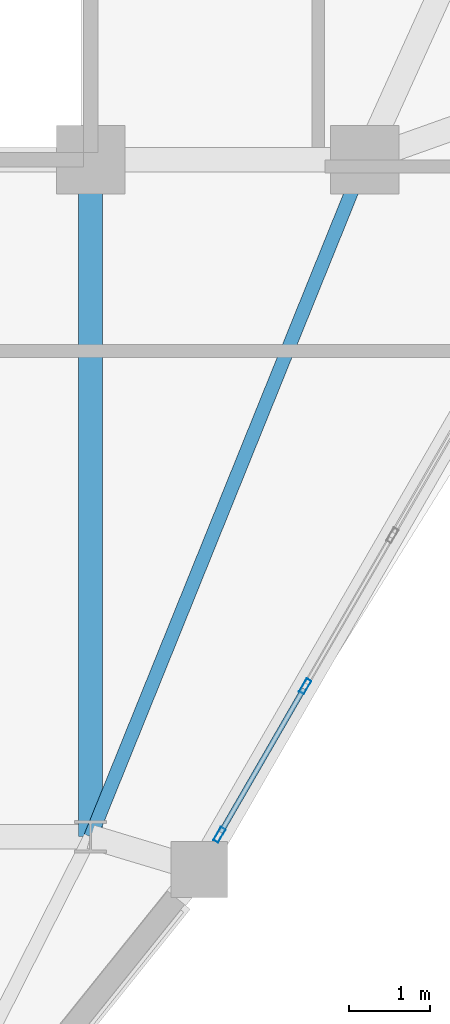
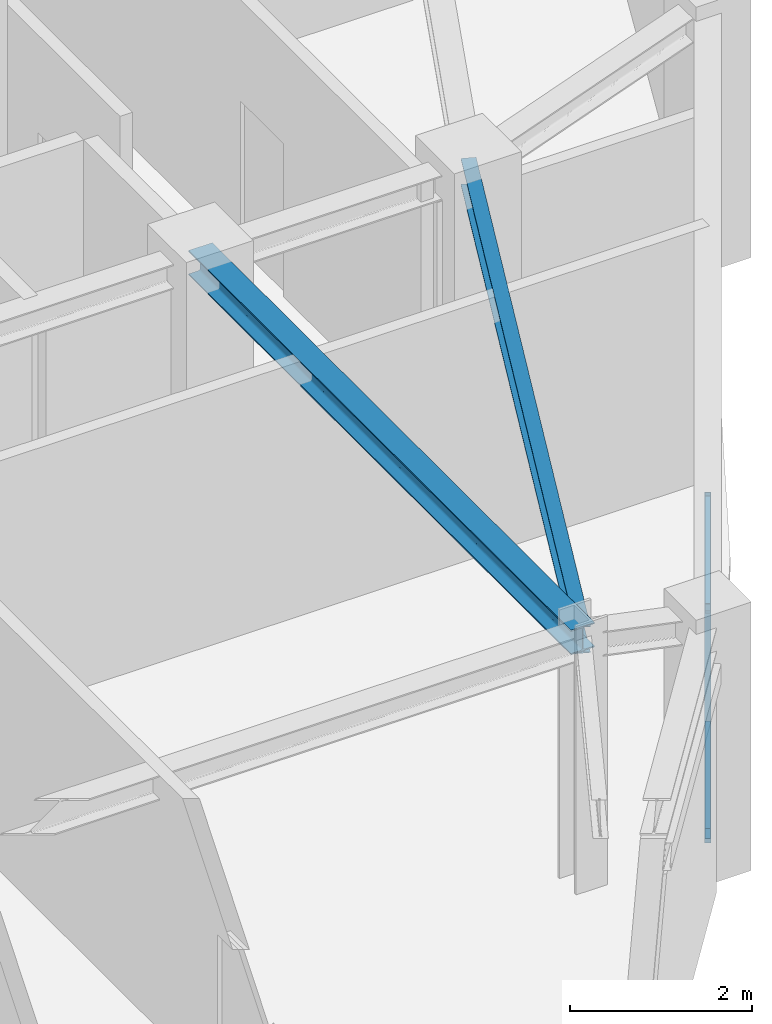
# One storey, part 4 of 15: 4 members, 2 beams, 1 element without a shape of its own.
"""IFC4 building model written with IfcOpenShell, lengths in metres."""

from ifc_helpers import new_model, si_unit, derived_unit, direction, frame, origin, origin_2d, place, context, subcontext, project, spatial, hollow_rectangle, i_section, extrude, source, transform, mapped, material, layer, layer_set, material_profile, profile_set, type_object, element, aggregate, save


model = new_model("IFC4")

# Units and contexts
model_context = context("Model", 3, precision=1e-05, world=origin(), true_north=direction((0.0, 1.0)))
body_context = subcontext(model_context, "Body", "Model", "MODEL_VIEW")
ifc_project = project(units=[si_unit("LENGTHUNIT", "METRE"), si_unit("AREAUNIT", "SQUARE_METRE"), si_unit("VOLUMEUNIT", "CUBIC_METRE"), si_unit("PLANEANGLEUNIT", "RADIAN"), si_unit("MASSUNIT", "GRAM", prefix="KILO"), derived_unit("THERMALTRANSMITTANCEUNIT", [(si_unit("POWERUNIT", "WATT"), 1), (si_unit("LENGTHUNIT", "METRE"), -2), (si_unit("THERMODYNAMICTEMPERATUREUNIT", "KELVIN"), -1)])], contexts=[model_context])

# Site, building, storey
site_placement = place(None, origin())
site = spatial("IfcSite", under=ifc_project, at=site_placement, CompositionType="ELEMENT")
building_placement = place(site_placement, origin())
building = spatial("IfcBuilding", under=site, at=building_placement, Name="Korsvarv Bourse and Concert Hall", CompositionType="ELEMENT")
storey_placement = place(building_placement, frame((0.0, 0.0, 268.199951171875)))
storey = spatial("IfcBuildingStorey", under=building, at=storey_placement, Name="L70", CompositionType="ELEMENT", Elevation=268.199951171875)

# Beams
ifc_material_1 = material(Name="Steel S355", Category="steel")
ifc_material_profile_1 = material_profile(ifc_material_1, i_section(OverallWidth=0.169921875, OverallDepth=0.360107421875, WebThickness=0.008056640625, FlangeThickness=0.0126953125, FilletRadius=0.01806640625, at=origin_2d()), Name="IPE 360")
ifc_profile_set_1 = profile_set([ifc_material_profile_1], Name="Steel S355")
beam_type_1 = type_object("IfcBeamType", Name="BM-IPE360", PredefinedType="JOIST", material=ifc_profile_set_1)
shared_shape_1 = source(origin(), body_context, "Body", "SweptSolid", [
    extrude(i_section(OverallWidth=0.169921875, OverallDepth=0.360107421875, WebThickness=0.008056640625, FlangeThickness=0.0126953125, FilletRadius=0.01806640625, at=origin_2d()), origin(), (0.0, 0.0, 1.0), 9.06201171875),
])
beam_1_placement = place(storey_placement, frame((47.800048828125, 32.39990234375, 3.22998046875), z_axis=(-0.375210394783, -0.926939674222, 0.0), x_axis=(0.926939674222, -0.375210394783, 0.0)))
element("IfcBeam", 1, at=beam_1_placement, inside=storey, type_object=beam_type_1, Name="L70 beam J-06", PredefinedType="JOIST", context=body_context, shape_type="MappedRepresentation", body=[
    mapped(shared_shape_1, transform((0.0, 0.0, 0.0), scale=1.0)),
])
ifc_material_profile_2 = material_profile(ifc_material_1, i_section(OverallWidth=0.300048828125, OverallDepth=0.330078125, WebThickness=0.009521484375, FlangeThickness=0.0166015625, FilletRadius=0.02099609375, at=origin_2d()), Name="HEA 340")
ifc_profile_set_2 = profile_set([ifc_material_profile_2], Name="Steel S355")
beam_type_2 = type_object("IfcBeamType", Name="BM-HEA340", PredefinedType="BEAM", material=ifc_profile_set_2)
shared_shape_2 = source(origin(), body_context, "Body", "SweptSolid", [
    extrude(i_section(OverallWidth=0.300048828125, OverallDepth=0.330078125, WebThickness=0.009521484375, FlangeThickness=0.0166015625, FilletRadius=0.02099609375, at=origin_2d()), origin(), (0.0, 0.0, 1.0), 8.39990234375),
])
beam_2_placement = place(storey_placement, frame((44.39990234375, 24.0, 3.2451171875), z_axis=(0.0, 1.0, 0.0), x_axis=(-1.0, 0.0, 0.0)))
element("IfcBeam", 2, at=beam_2_placement, inside=storey, type_object=beam_type_2, Name="L70 beam B-12", PredefinedType="BEAM", context=body_context, shape_type="MappedRepresentation", body=[
    mapped(shared_shape_2, transform((0.0, 0.0, 0.0), scale=1.0)),
])

# Curtain wall, members
ifc_material_2 = material(Name="Anodised aluminium and triple low-E glazing", Category="glass")
ifc_layer = layer(ifc_material_2, 0.199951171875)
ifc_layer_set = layer_set([ifc_layer], Name="Anodised aluminium and triple low-E glazing")
curtain_wall_type = type_object("IfcCurtainWallType", Name="CW-SYS-3", PredefinedType="NOTDEFINED", material=ifc_layer_set)
curtain_wall_placement = place(storey_placement, origin())
curtain_wall = element("IfcCurtainWall", 3, at=curtain_wall_placement, inside=storey, type_object=curtain_wall_type, Name="L70 CW3 curtain wall CW-L70-F11", PredefinedType="NOTDEFINED")
ifc_material_3 = material(Name="Extruded aluminium EN AW-6063 T66", Category="aluminium")
ifc_material_profile_3 = material_profile(ifc_material_3, hollow_rectangle(XDim=0.070068359375, YDim=0.18994140625, WallThickness=0.0048828125, at=origin_2d()), Name="ALU-M 70x190")
ifc_profile_set_3 = profile_set([ifc_material_profile_3], Name="Extruded aluminium EN AW-6063 T66")
member_type_1 = type_object("IfcMemberType", Name="CWM-190", PredefinedType="MULLION", material=ifc_profile_set_3)
shared_shape_3 = source(origin(), body_context, "Body", "SweptSolid", [
    extrude(hollow_rectangle(XDim=0.070068359375, YDim=0.18994140625, WallThickness=0.0048828125, at=origin_2d()), origin(), (0.0, 0.0, 1.0), 3.080078125),
])
member_1_placement = place(storey_placement, frame((45.998046875, 24.02392578125, 0.0), z_axis=(0.0, 0.0, 1.0), x_axis=(-0.866022834448, 0.500004450195, 0.0)))
member_1 = element("IfcMember", 4, at=member_1_placement, type_object=member_type_1, Name="CW3 mullion 1", PredefinedType="MULLION", context=body_context, shape_type="MappedRepresentation", body=[
    mapped(shared_shape_3, transform((0.0, 0.0, 0.0), scale=1.0)),
])
member_2_placement = place(storey_placement, frame((47.062255859375, 25.86669921875, 0.0), z_axis=(0.0, 0.0, 1.0), x_axis=(-0.866022834448, 0.500004450195, 0.0)))
member_2 = element("IfcMember", 5, at=member_2_placement, type_object=member_type_1, Name="CW3 mullion 2", PredefinedType="MULLION", context=body_context, shape_type="MappedRepresentation", body=[
    mapped(shared_shape_3, transform((0.0, 0.0, 0.0), scale=1.0)),
])
ifc_material_profile_4 = material_profile(ifc_material_3, hollow_rectangle(XDim=0.06494140625, YDim=0.139892578125, WallThickness=0.00390625, at=origin_2d()), Name="ALU-T 65x140")
ifc_profile_set_4 = profile_set([ifc_material_profile_4], Name="Extruded aluminium EN AW-6063 T66")
member_type_2 = type_object("IfcMemberType", Name="CWT-140", PredefinedType="USERDEFINED", material=ifc_profile_set_4)
shared_shape_4 = source(origin(), body_context, "Body", "SweptSolid", [
    extrude(hollow_rectangle(XDim=0.06494140625, YDim=0.139892578125, WallThickness=0.00390625, at=origin_2d()), origin(), (0.0, 0.0, 1.0), 2.057861328125),
])
member_3_placement = place(storey_placement, frame((46.015625, 24.05419921875, 0.032470703125), z_axis=(0.500030520673, 0.866007781949, 0.0), x_axis=(-0.866007781949, 0.500030520673, 0.0)))
member_3 = element("IfcMember", 6, at=member_3_placement, type_object=member_type_2, Name="CW3 transom 1.1", ObjectType="TRANSOM", PredefinedType="USERDEFINED", context=body_context, shape_type="MappedRepresentation", body=[
    mapped(shared_shape_4, transform((0.0, 0.0, 0.0), scale=1.0)),
])
member_4_placement = place(storey_placement, frame((46.015625, 24.05419921875, 3.047607421875), z_axis=(0.500030520673, 0.866007781949, 0.0), x_axis=(-0.866007781949, 0.500030520673, 0.0)))
member_4 = element("IfcMember", 7, at=member_4_placement, type_object=member_type_2, Name="CW3 transom 1.2", ObjectType="TRANSOM", PredefinedType="USERDEFINED", context=body_context, shape_type="MappedRepresentation", body=[
    mapped(shared_shape_4, transform((0.0, 0.0, 0.0), scale=1.0)),
])
aggregate(curtain_wall, [member_1, member_2, member_3, member_4])

save(model, "model.ifc")
